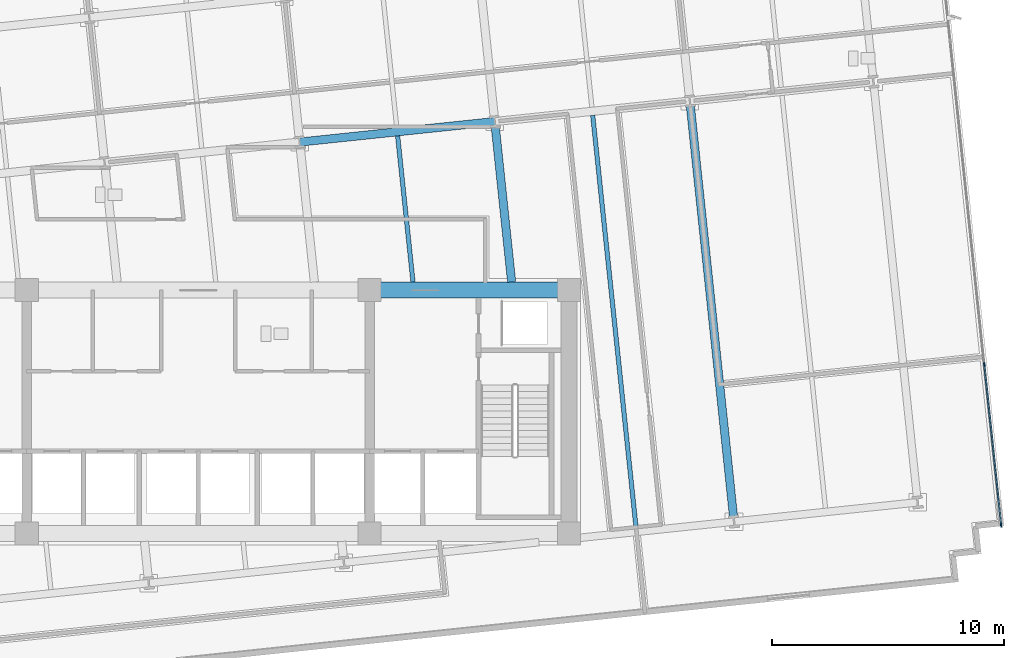
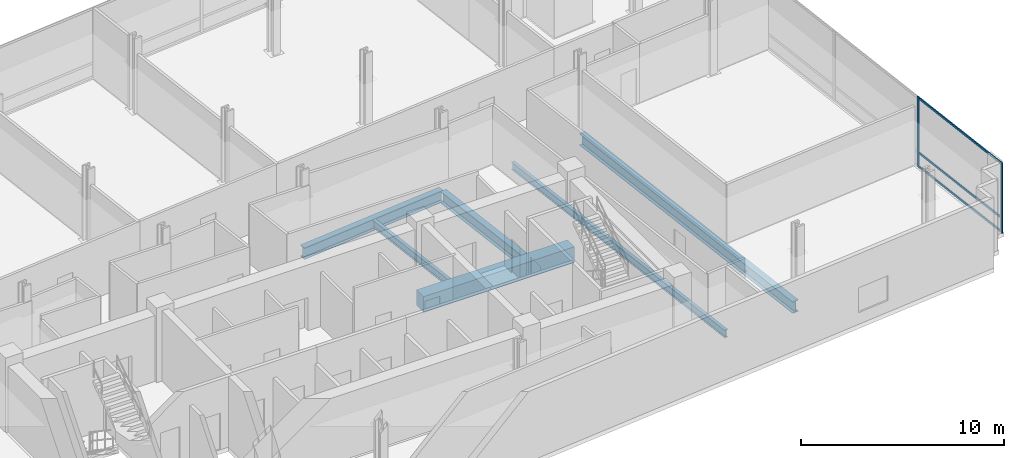
# One storey, part 6 of 20: 6 beams, 5 members, 1 element without a shape of its own.
"""IFC4 building model written with IfcOpenShell, lengths in metres."""

from ifc_helpers import new_model, si_unit, direction, frame, origin, origin_2d, place, context, subcontext, project, spatial, rectangle, i_section, extrude, material, material_profile, profile_set, type_object, element, aggregate, save


model = new_model("IFC4")

# Units and contexts
model_context = context("Model", 3, precision=1e-05, world=origin(), true_north=direction((0.0, 1.0)))
body_context = subcontext(model_context, "Body", "Model", "MODEL_VIEW")
ifc_project = project(units=[si_unit("LENGTHUNIT", "METRE"), si_unit("AREAUNIT", "SQUARE_METRE"), si_unit("VOLUMEUNIT", "CUBIC_METRE"), si_unit("PLANEANGLEUNIT", "RADIAN"), si_unit("MASSUNIT", "GRAM", prefix="KILO")], contexts=[model_context])

# Site, building, storey
site_placement = place(None, origin())
site = spatial("IfcSite", under=ifc_project, at=site_placement, CompositionType="ELEMENT")
building_placement = place(site_placement, origin())
building = spatial("IfcBuilding", under=site, at=building_placement, Name="Solmavex Isthmus Hotel", CompositionType="ELEMENT")
storey_placement = place(building_placement, frame((0.0, 0.0, 97.35009765625)))
storey = spatial("IfcBuildingStorey", under=building, at=storey_placement, Name="L26", CompositionType="ELEMENT", Elevation=97.35009765625)

# Beams
ifc_material_1 = material(Name="Steel ASTM A992 Grade 50", Category="steel")
ifc_material_profile_1 = material_profile(ifc_material_1, i_section(OverallWidth=0.354736328125, OverallDepth=0.695556640625, WebThickness=0.015380859375, FlangeThickness=0.02490234375, FilletRadius=0.017822265625, at=origin_2d()), Name="W27X146")
ifc_profile_set_1 = profile_set([ifc_material_profile_1], Name="Steel ASTM A992 Grade 50")
beam_type_1 = type_object("IfcBeamType", Name="BM-BG-W27X146", PredefinedType="BEAM", material=ifc_profile_set_1)
beam_1_placement = place(storey_placement, frame((4.38037109375, 3.888427734375, -0.60791015625), z_axis=(0.994521085209, 0.104536171134, 0.0), x_axis=(-0.104536171134, 0.994521085209, 0.0)))
element("IfcBeam", 1, at=beam_1_placement, inside=storey, type_object=beam_type_1, Name="Floor Girder L26-UG10", PredefinedType="BEAM", context=body_context, shape_type="SweptSolid", body=[
    extrude(i_section(OverallWidth=0.354736328125, OverallDepth=0.695556640625, WebThickness=0.015380859375, FlangeThickness=0.02490234375, FilletRadius=0.017822265625, at=origin_2d()), origin(), (0.0, 0.0, 1.0), 8.466064453125),
])
beam_2_placement = place(storey_placement, frame((13.52783203125, -2.14990234375, -0.60791015625), z_axis=(-0.104544283528, 0.994520232465, 0.0), x_axis=(-0.994520232465, -0.104544283528, 0.0)))
element("IfcBeam", 2, at=beam_2_placement, inside=storey, type_object=beam_type_1, Name="Floor Beam L26-VG40", PredefinedType="BEAM", context=body_context, shape_type="SweptSolid", body=[
    extrude(i_section(OverallWidth=0.354736328125, OverallDepth=0.695556640625, WebThickness=0.015380859375, FlangeThickness=0.02490234375, FilletRadius=0.017822265625, at=origin_2d()), origin(), (0.0, 0.0, 1.0), 6.783935546875),
])
beam_3_placement = place(storey_placement, frame((23.1103515625, -12.329345703125, -0.60791015625), z_axis=(-0.104530088192, 0.99452172458, 0.0), x_axis=(-0.99452172458, -0.104530088192, 0.0)))
element("IfcBeam", 3, at=beam_3_placement, inside=storey, type_object=beam_type_1, Name="Floor Beam L26-VG43", PredefinedType="BEAM", context=body_context, shape_type="SweptSolid", body=[
    extrude(i_section(OverallWidth=0.354736328125, OverallDepth=0.695556640625, WebThickness=0.015380859375, FlangeThickness=0.02490234375, FilletRadius=0.017822265625, at=origin_2d()), origin(), (0.0, 0.0, 1.0), 17.909423828125),
])
ifc_material_profile_2 = material_profile(ifc_material_1, i_section(OverallWidth=0.1904296875, OverallDepth=0.456787109375, WebThickness=0.009033203125, FlangeThickness=0.014404296875, FilletRadius=0.0126953125, at=origin_2d()), Name="W18X50")
ifc_profile_set_2 = profile_set([ifc_material_profile_2], Name="Steel ASTM A992 Grade 50")
beam_type_2 = type_object("IfcBeamType", Name="BM-BJ-W18X50", PredefinedType="JOIST", material=ifc_profile_set_2)
beam_4_placement = place(storey_placement, frame((9.271484375, -2.14990234375, -0.488525390625), z_axis=(-0.104524400071, 0.994522322419, 0.0), x_axis=(-0.994522322419, -0.104524400071, 0.0)))
element("IfcBeam", 4, at=beam_4_placement, inside=storey, type_object=beam_type_2, Name="Secondary Floor Joist L26-J13", PredefinedType="JOIST", context=body_context, shape_type="SweptSolid", body=[
    extrude(i_section(OverallWidth=0.1904296875, OverallDepth=0.456787109375, WebThickness=0.009033203125, FlangeThickness=0.014404296875, FilletRadius=0.0126953125, at=origin_2d()), origin(), (0.0, 0.0, 1.0), 6.339111328125),
])
beam_5_placement = place(storey_placement, frame((18.900390625, -12.771728515625, -0.488525390625), z_axis=(-0.104516605126, 0.994523141638, 0.0), x_axis=(-0.994523141638, -0.104516605126, 0.0)))
element("IfcBeam", 5, at=beam_5_placement, inside=storey, type_object=beam_type_2, Name="Secondary Floor Joist L26-J16", PredefinedType="JOIST", context=body_context, shape_type="SweptSolid", body=[
    extrude(i_section(OverallWidth=0.1904296875, OverallDepth=0.456787109375, WebThickness=0.009033203125, FlangeThickness=0.014404296875, FilletRadius=0.0126953125, at=origin_2d()), origin(), (0.0, 0.0, 1.0), 17.909423828125),
])
ifc_material_2 = material(Name="Concrete C60/75", Category="concrete")
ifc_material_profile_3 = material_profile(ifc_material_2, rectangle(XDim=0.699951171875, YDim=0.949951171875, at=origin_2d()), Name="RC700X950")
ifc_profile_set_3 = profile_set([ifc_material_profile_3], Name="Concrete C60/75")
beam_type_3 = type_object("IfcBeamType", Name="BM-CB-700X950", PredefinedType="BEAM", material=ifc_profile_set_3)
beam_6_placement = place(storey_placement, frame((7.39990234375, -2.5, -0.735107421875), z_axis=(1.0, 0.0, 0.0), x_axis=(0.0, 1.0, 0.0)))
element("IfcBeam", 6, at=beam_6_placement, inside=storey, type_object=beam_type_3, Name="Core Coupling Beam L26-CB6", PredefinedType="BEAM", context=body_context, shape_type="SweptSolid", body=[
    extrude(rectangle(XDim=0.699951171875, YDim=0.949951171875, at=origin_2d()), origin(), (0.0, 0.0, 1.0), 8.60009765625),
])

# Curtain wall, members
ifc_material_3 = material(Name="Aluminium alloy 6063-T6", Category="aluminium")
curtain_wall_type = type_object("IfcCurtainWallType", Name="CW-SYS-05", PredefinedType="NOTDEFINED", material=ifc_material_3)
curtain_wall_placement = place(storey_placement, origin())
curtain_wall = element("IfcCurtainWall", 7, at=curtain_wall_placement, inside=storey, type_object=curtain_wall_type, Name="Stick Curtain Wall CWL-L26-E1", PredefinedType="NOTDEFINED")
ifc_material_profile_4 = material_profile(ifc_material_3, rectangle(XDim=0.06494140625, YDim=0.159912109375, at=origin_2d()), Name="CWM-65X160")
ifc_profile_set_4 = profile_set([ifc_material_profile_4], Name="Aluminium alloy 6063-T6")
member_type_1 = type_object("IfcMemberType", Name="CW-SYS-05-MUL", PredefinedType="MULLION", material=ifc_profile_set_4)
member_1_placement = place(storey_placement, frame((34.655517578125, -12.655029296875, 0.0), z_axis=(0.0, 0.0, 1.0), x_axis=(-0.994521893044, -0.104528485381, 0.0)))
member_1 = element("IfcMember", 8, at=member_1_placement, type_object=member_type_1, Name="CW-05 mullion 1", PredefinedType="MULLION", context=body_context, shape_type="SweptSolid", body=[
    extrude(rectangle(XDim=0.06494140625, YDim=0.159912109375, at=origin_2d()), origin(), (0.0, 0.0, 1.0), 4.239990234375),
])
member_2_placement = place(storey_placement, frame((33.92529296875, -5.705810546875, 0.0), z_axis=(0.0, 0.0, 1.0), x_axis=(-0.994521893044, -0.104528485381, 0.0)))
member_2 = element("IfcMember", 9, at=member_2_placement, type_object=member_type_1, Name="CW-05 mullion 2", PredefinedType="MULLION", context=body_context, shape_type="SweptSolid", body=[
    extrude(rectangle(XDim=0.06494140625, YDim=0.159912109375, at=origin_2d()), origin(), (0.0, 0.0, 1.0), 4.239990234375),
])
ifc_material_profile_5 = material_profile(ifc_material_3, rectangle(XDim=0.06494140625, YDim=0.125, at=origin_2d()), Name="CWT-65X125")
ifc_profile_set_5 = profile_set([ifc_material_profile_5], Name="Aluminium alloy 6063-T6")
member_type_2 = type_object("IfcMemberType", Name="CW-SYS-05-TRN", PredefinedType="USERDEFINED", material=ifc_profile_set_5)
member_3_placement = place(storey_placement, frame((34.652099609375, -12.622802734375, 0.0625), z_axis=(-0.104495694305, 0.994525338979, 0.0), x_axis=(-0.994525338979, -0.104495694305, 0.0)))
member_3 = element("IfcMember", 10, at=member_3_placement, type_object=member_type_2, Name="CW-05 transom 1.1", ObjectType="TRANSOM", PredefinedType="USERDEFINED", context=body_context, shape_type="SweptSolid", body=[
    extrude(rectangle(XDim=0.06494140625, YDim=0.125, at=origin_2d()), origin(), (0.0, 0.0, 1.0), 6.922607421875),
])
member_4_placement = place(storey_placement, frame((34.652099609375, -12.622802734375, 0.89990234375), z_axis=(-0.104495694305, 0.994525338979, 0.0), x_axis=(-0.994525338979, -0.104495694305, 0.0)))
member_4 = element("IfcMember", 11, at=member_4_placement, type_object=member_type_2, Name="CW-05 transom 1.2", ObjectType="TRANSOM", PredefinedType="USERDEFINED", context=body_context, shape_type="SweptSolid", body=[
    extrude(rectangle(XDim=0.06494140625, YDim=0.125, at=origin_2d()), origin(), (0.0, 0.0, 1.0), 6.922607421875),
])
member_5_placement = place(storey_placement, frame((34.652099609375, -12.622802734375, 4.177490234375), z_axis=(-0.104495694305, 0.994525338979, 0.0), x_axis=(-0.994525338979, -0.104495694305, 0.0)))
member_5 = element("IfcMember", 12, at=member_5_placement, type_object=member_type_2, Name="CW-05 transom 1.3", ObjectType="TRANSOM", PredefinedType="USERDEFINED", context=body_context, shape_type="SweptSolid", body=[
    extrude(rectangle(XDim=0.06494140625, YDim=0.125, at=origin_2d()), origin(), (0.0, 0.0, 1.0), 6.922607421875),
])
aggregate(curtain_wall, [member_1, member_2, member_3, member_4, member_5])

save(model, "model.ifc")
